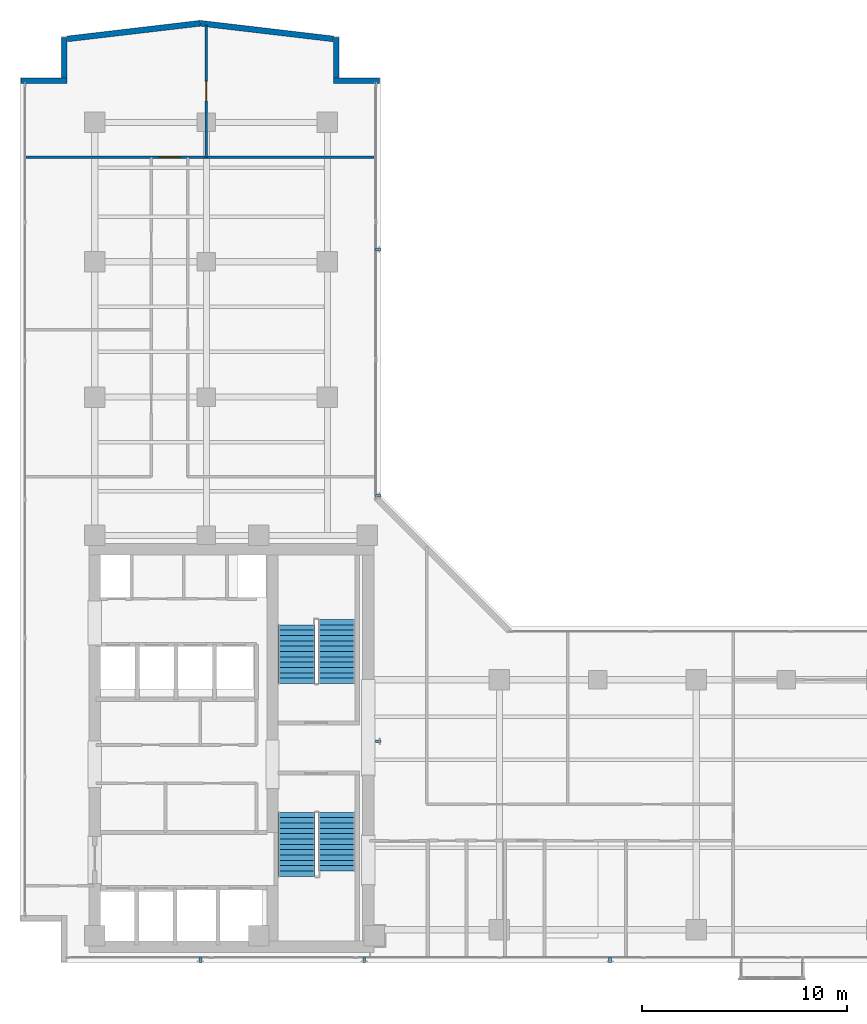
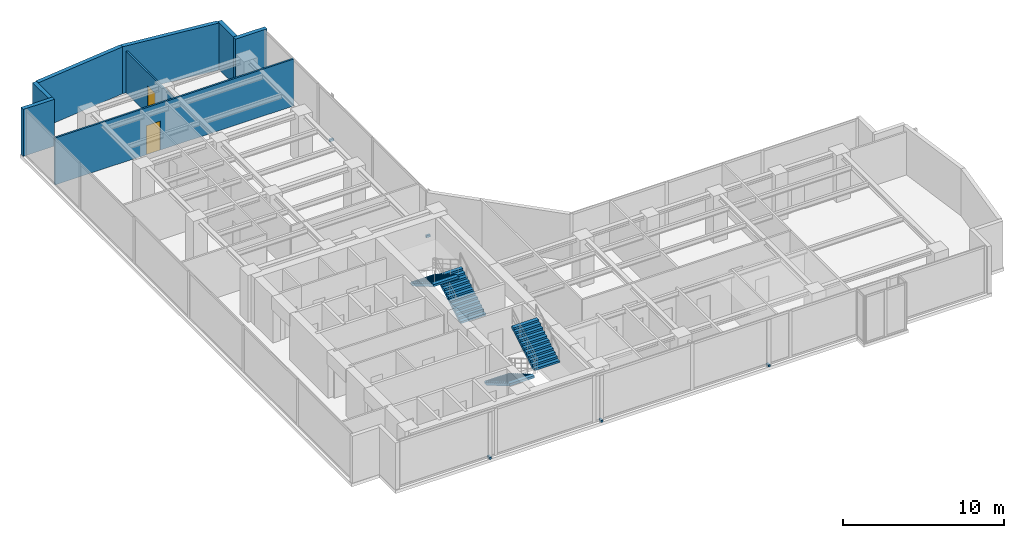
# One storey, part 18 of 23: 8 walls, 6 discrete accessories, 4 stair flights, 2 doors, 2 openings, 2 elements without a shape of their own.
"""IFC4 building model written with IfcOpenShell, lengths in metres."""

from ifc_helpers import new_model, si_unit, direction, frame, frame_2d, origin, origin_with_axes, origin_2d, place, context, subcontext, project, spatial, polyline, rectangle, outline, extrude, source, transform, mapped, material, layer, layer_set, type_object, element, fill, aggregate, save


model = new_model("IFC4")

# Units and contexts
model_context = context("Model", 3, precision=1e-05, world=origin(), true_north=direction((0.0, 1.0)))
body_context = subcontext(model_context, "Body", "Model", "MODEL_VIEW")
ifc_project = project(units=[si_unit("LENGTHUNIT", "METRE"), si_unit("AREAUNIT", "SQUARE_METRE"), si_unit("VOLUMEUNIT", "CUBIC_METRE"), si_unit("PLANEANGLEUNIT", "RADIAN"), si_unit("MASSUNIT", "GRAM", prefix="KILO")], contexts=[model_context])

# Site, building, storey
site_placement = place(None, origin())
site = spatial("IfcSite", under=ifc_project, at=site_placement, CompositionType="ELEMENT")
building_placement = place(site_placement, origin())
building = spatial("IfcBuilding", under=site, at=building_placement, Name="Kolvaren Waterfront Exchange", CompositionType="ELEMENT")
storey_placement = place(building_placement, frame((0.0, 0.0, 242.5)))
storey = spatial("IfcBuildingStorey", under=building, at=storey_placement, Name="L62", CompositionType="ELEMENT", Elevation=242.5)

# Walls
ifc_material_1 = material(Name="Precast concrete C40/50", Category="concrete")
ifc_layer_1 = layer(ifc_material_1, 0.280029296875, Name="Precast concrete C40/50")
ifc_layer_set_1 = layer_set([ifc_layer_1], Name="Precast concrete C40/50")
wall_type_1 = type_object("IfcWallType", Name="ARC-EXT-TERR-280", PredefinedType="SOLIDWALL", material=ifc_layer_set_1)
wall_1_placement = place(storey_placement, frame((19.10009765625, 46.639892578125, 0.0), z_axis=(0.0, 0.0, 1.0), x_axis=(1.0, 0.0, 0.0)))
element("IfcWall", 1, at=wall_1_placement, inside=storey, type_object=wall_type_1, Name="L62 notched corner spandrel pier NNE-A", PredefinedType="SOLIDWALL", context=body_context, shape_type="SweptSolid", body=[
    extrude(rectangle(XDim=2.239990234375, YDim=0.280029296875, at=frame_2d((1.1201171875, 0.0))), origin(), (0.0, 0.0, 1.0), 3.56005859375),
])
wall_2_placement = place(storey_placement, frame((19.239990234375, 46.780029296875, 0.0), z_axis=(0.0, 0.0, 1.0), x_axis=(0.0, 1.0, 0.0)))
element("IfcWall", 2, at=wall_2_placement, inside=storey, type_object=wall_type_1, Name="L62 notched corner spandrel pier NNE-B", PredefinedType="SOLIDWALL", context=body_context, shape_type="SweptSolid", body=[
    extrude(rectangle(XDim=1.9599609375, YDim=0.280029296875, at=frame_2d((0.97998046875, 0.0))), origin(), (0.0, 0.0, 1.0), 3.56005859375),
])
wall_3_placement = place(storey_placement, frame((3.860107421875, 46.639892578125, 0.0), z_axis=(0.0, 0.0, 1.0), x_axis=(1.0, 0.0, 0.0)))
element("IfcWall", 3, at=wall_3_placement, inside=storey, type_object=wall_type_1, Name="L62 notched corner spandrel pier NW-A", PredefinedType="SOLIDWALL", context=body_context, shape_type="SweptSolid", body=[
    extrude(rectangle(XDim=2.239990234375, YDim=0.280029296875, at=frame_2d((1.1201171875, 0.0))), origin(), (0.0, 0.0, 1.0), 3.56005859375),
])
wall_4_placement = place(storey_placement, frame((5.9599609375, 46.780029296875, 0.0), z_axis=(0.0, 0.0, 1.0), x_axis=(0.0, 1.0, 0.0)))
element("IfcWall", 4, at=wall_4_placement, inside=storey, type_object=wall_type_1, Name="L62 notched corner spandrel pier NW-B", PredefinedType="SOLIDWALL", context=body_context, shape_type="SweptSolid", body=[
    extrude(rectangle(XDim=1.9599609375, YDim=0.280029296875, at=frame_2d((0.97998046875, 0.0))), origin(), (0.0, 0.0, 1.0), 3.56005859375),
])
for number, where, z_axis, x_axis, name in (
    (5, (19.08349609375, 48.676025390625, 0.0), (0.0, 0.0, 1.0), (-0.993149072278, 0.11685426921, 0.0), "L62 north prow faceted facade wall 1"),
    (6, (12.598876953125, 49.438720703125, 0.0), (0.0, 0.0, 1.0), (-0.993149072278, -0.11685426921, 0.0), "L62 north prow faceted facade wall 2"),
):
    element("IfcWall", number, at=place(storey_placement, frame(where, z_axis=z_axis, x_axis=x_axis)), inside=storey, type_object=wall_type_1, Name=name, PredefinedType="SOLIDWALL", context=body_context, shape_type="SweptSolid", body=[
        extrude(rectangle(XDim=6.52685546875, YDim=0.280029296875, at=frame_2d((3.263427734375, 0.0))), origin(), (0.0, 0.0, 1.0), 3.56005859375),
    ])

# Wall, opening, door
ifc_material_2 = material(Name="Acoustic gypsum steel stud", Category="steel")
ifc_layer_2 = layer(ifc_material_2, 0.125, Name="Acoustic gypsum steel stud")
ifc_layer_set_2 = layer_set([ifc_layer_2], Name="Acoustic gypsum steel stud")
wall_type_2 = type_object("IfcWallType", Name="ARC-PART-125", PredefinedType="PARTITIONING", material=ifc_layer_set_2)
wall_5_placement = place(storey_placement, frame((4.0400390625, 42.89990234375, 0.0), z_axis=(0.0, 0.0, 1.0), x_axis=(1.0, 0.0, 0.0)))
wall_5 = element("IfcWall", 7, at=wall_5_placement, inside=storey, type_object=wall_type_2, Name="L62 interior wall PW-L62-NTIP-S", PredefinedType="PARTITIONING", context=body_context, shape_type="SweptSolid", body=[
    extrude(rectangle(XDim=17.119873046875, YDim=0.125, at=frame_2d((8.56005859375, 0.0))), origin(), (0.0, 0.0, 1.0), 3.56005859375),
])
opening_1_placement = place(wall_5_placement, frame((6.550048828125, 0.0, 0.0)))
opening_1 = element("IfcOpeningElement", 8, at=opening_1_placement, cuts=wall_5, Name="Opening D03", PredefinedType="OPENING", context=body_context, shape_type="SweptSolid", body=[
    extrude(rectangle(XDim=1.0, YDim=2.199951171875, at=frame_2d((0.5, 1.10009765625))), frame((0.0, 0.072509765625, 0.0), z_axis=(0.0, -1.0, 0.0), x_axis=(1.0, 0.0, 0.0)), (0.0, 0.0, 1.0), 0.14501953125),
])
ifc_material_3 = material(Name="Oak veneer accessible timber", Category="wood")
door_type_1 = type_object("IfcDoorType", Name="ARC-DR-1000", OperationType="NOTDEFINED", PredefinedType="DOOR", material=ifc_material_3)
door_1_placement = place(opening_1_placement, origin())
door_1 = element("IfcDoor", 9, at=door_1_placement, inside=storey, type_object=door_type_1, Name="L62 door DR-L62-NTIPW-D (D03)", OperationType="SINGLE_SWING_RIGHT", OverallHeight=2.199951171875, OverallWidth=1.0, PredefinedType="DOOR", context=body_context, shape_type="SweptSolid", body=[
    extrude(rectangle(XDim=1.0, YDim=2.199951171875, at=frame_2d((0.5, 1.10009765625))), frame((0.0, 0.02490234375, 0.0), z_axis=(0.0, -1.0, 0.0), x_axis=(1.0, 0.0, 0.0)), (0.0, 0.0, 1.0), 0.050048828125),
])
fill(opening_1, door_1)

wall_6_placement = place(storey_placement, frame((12.89990234375, 42.89990234375, 0.0), z_axis=(0.0, 0.0, 1.0), x_axis=(0.0, 1.0, 0.0)))
wall_6 = element("IfcWall", 10, at=wall_6_placement, inside=storey, type_object=wall_type_2, Name="L62 interior wall PW-L62-NTIP-DIV", PredefinedType="PARTITIONING", context=body_context, shape_type="SweptSolid", body=[
    extrude(rectangle(XDim=6.460205078125, YDim=0.125, at=frame_2d((3.22998046875, 0.0))), origin(), (0.0, 0.0, 1.0), 3.159912109375),
])
opening_2_placement = place(wall_6_placement, frame((2.75, 0.0, 0.0)))
opening_2 = element("IfcOpeningElement", 11, at=opening_2_placement, cuts=wall_6, Name="Opening D02", PredefinedType="OPENING", context=body_context, shape_type="SweptSolid", body=[
    extrude(rectangle(XDim=0.949951171875, YDim=2.14990234375, at=frame_2d((0.47509765625, 1.074951171875))), frame((0.0, 0.072509765625, 0.0), z_axis=(0.0, -1.0, 0.0), x_axis=(1.0, 0.0, 0.0)), (0.0, 0.0, 1.0), 0.14501953125),
])
ifc_material_4 = material(Name="Oak veneer acoustic timber", Category="wood")
door_type_2 = type_object("IfcDoorType", Name="ARC-DR-950", OperationType="NOTDEFINED", PredefinedType="DOOR", material=ifc_material_4)
door_2_placement = place(opening_2_placement, origin())
door_2 = element("IfcDoor", 12, at=door_2_placement, inside=storey, type_object=door_type_2, Name="L62 door DR-L62-NTIPE-D (D02)", OperationType="SINGLE_SWING_LEFT", OverallHeight=2.14990234375, OverallWidth=0.949951171875, PredefinedType="DOOR", context=body_context, shape_type="SweptSolid", body=[
    extrude(rectangle(XDim=0.949951171875, YDim=2.14990234375, at=frame_2d((0.47509765625, 1.074951171875))), frame((0.0, 0.02490234375, 0.0), z_axis=(0.0, -1.0, 0.0), x_axis=(1.0, 0.0, 0.0)), (0.0, 0.0, 1.0), 0.050048828125),
])
fill(opening_2, door_2)

# Stair, stair flights
ifc_material_5 = material(Name="Concrete C40/50", Category="concrete")
stair_type = type_object("IfcStairType", Name="ARC-STAIR-3800", PredefinedType="HALF_TURN_STAIR", material=ifc_material_5)
stair_1_placement = place(storey_placement, origin())
stair_1 = element("IfcStair", 13, at=stair_1_placement, inside=storey, type_object=stair_type, Name="L62 Smoke-proof exit stair ST1", PredefinedType="HALF_TURN_STAIR")
stair_flight_type = type_object("IfcStairFlightType", Name="ARC-FLIGHT-3800", PredefinedType="STRAIGHT", material=ifc_material_5)
stair_flight_1_placement = place(storey_placement, frame((17.300048828125, 10.929931640625, 0.0), z_axis=(0.0, 0.0, 1.0), x_axis=(0.0, -1.0, 0.0)))
stair_flight_1 = element("IfcStairFlight", 14, at=stair_flight_1_placement, type_object=stair_flight_type, Name="ST1 flight 1", NumberOfRisers=13, NumberOfTreads=12, PredefinedType="STRAIGHT", RiserHeight=0.152, TreadLength=0.26, context=body_context, shape_type="SweptSolid", body=[
    extrude(outline(polyline([(0.0, 0.0), (0.0, 0.152099609375), (0.260009765625, 0.152099609375), (0.260009765625, 0.303955078125), (0.52001953125, 0.303955078125), (0.52001953125, 0.4560546875), (0.780029296875, 0.4560546875), (0.780029296875, 0.60791015625), (1.0400390625, 0.60791015625), (1.0400390625, 0.760009765625), (1.300048828125, 0.760009765625), (1.300048828125, 0.912109375), (1.56005859375, 0.912109375), (1.56005859375, 1.06396484375), (1.820068359375, 1.06396484375), (1.820068359375, 1.216064453125), (2.080078125, 1.216064453125), (2.080078125, 1.367919921875), (2.340087890625, 1.367919921875), (2.340087890625, 1.52001953125), (2.60009765625, 1.52001953125), (2.60009765625, 1.672119140625), (2.860107421875, 1.672119140625), (2.860107421875, 1.823974609375), (3.1201171875, 1.823974609375), (3.1201171875, 1.97607421875), (3.1201171875, 1.650390625), (0.297119140625, 0.0), (0.0, 0.0)])), frame((0.0, 0.89990234375, 0.0), z_axis=(0.0, -1.0, 0.0), x_axis=(1.0, 0.0, 0.0)), (0.0, 0.0, 1.0), 1.800048828125),
])
stair_flight_2_placement = place(storey_placement, frame((19.260009765625, 8.070068359375, 1.97607421875), z_axis=(0.0, 0.0, 1.0), x_axis=(0.0, 1.0, 0.0)))
stair_flight_2 = element("IfcStairFlight", 15, at=stair_flight_2_placement, type_object=stair_flight_type, Name="ST1 flight 2", NumberOfRisers=12, NumberOfTreads=11, PredefinedType="STRAIGHT", RiserHeight=0.152, TreadLength=0.26, context=body_context, shape_type="SweptSolid", body=[
    extrude(outline(polyline([(0.0, 0.0), (0.0, 0.152099609375), (0.260009765625, 0.152099609375), (0.260009765625, 0.303955078125), (0.52001953125, 0.303955078125), (0.52001953125, 0.4560546875), (0.780029296875, 0.4560546875), (0.780029296875, 0.60791015625), (1.0400390625, 0.60791015625), (1.0400390625, 0.760009765625), (1.300048828125, 0.760009765625), (1.300048828125, 0.912109375), (1.56005859375, 0.912109375), (1.56005859375, 1.06396484375), (1.820068359375, 1.06396484375), (1.820068359375, 1.216064453125), (2.080078125, 1.216064453125), (2.080078125, 1.367919921875), (2.340087890625, 1.367919921875), (2.340087890625, 1.52001953125), (2.60009765625, 1.52001953125), (2.60009765625, 1.672119140625), (2.860107421875, 1.672119140625), (2.860107421875, 1.823974609375), (2.860107421875, 1.498291015625), (0.297119140625, 0.0), (0.0, 0.0)])), frame((0.0, 0.89990234375, 0.0), z_axis=(0.0, -1.0, 0.0), x_axis=(1.0, 0.0, 0.0)), (0.0, 0.0, 1.0), 1.800048828125),
])
aggregate(stair_1, [stair_flight_1, stair_flight_2])

stair_2_placement = place(storey_placement, origin())
stair_2 = element("IfcStair", 16, at=stair_2_placement, inside=storey, type_object=stair_type, Name="L62 Smoke-proof exit stair ST2", PredefinedType="HALF_TURN_STAIR")
stair_flight_3_placement = place(storey_placement, frame((19.260009765625, 17.219970703125, 0.0), z_axis=(0.0, 0.0, 1.0), x_axis=(0.0, 1.0, 0.0)))
stair_flight_3 = element("IfcStairFlight", 17, at=stair_flight_3_placement, type_object=stair_flight_type, Name="ST2 flight 1", NumberOfRisers=13, NumberOfTreads=12, PredefinedType="STRAIGHT", RiserHeight=0.152, TreadLength=0.26, context=body_context, shape_type="SweptSolid", body=[
    extrude(outline(polyline([(0.0, 0.0), (0.0, 0.152099609375), (0.260009765625, 0.152099609375), (0.260009765625, 0.303955078125), (0.52001953125, 0.303955078125), (0.52001953125, 0.4560546875), (0.780029296875, 0.4560546875), (0.780029296875, 0.60791015625), (1.0400390625, 0.60791015625), (1.0400390625, 0.760009765625), (1.300048828125, 0.760009765625), (1.300048828125, 0.912109375), (1.56005859375, 0.912109375), (1.56005859375, 1.06396484375), (1.820068359375, 1.06396484375), (1.820068359375, 1.216064453125), (2.080078125, 1.216064453125), (2.080078125, 1.367919921875), (2.340087890625, 1.367919921875), (2.340087890625, 1.52001953125), (2.60009765625, 1.52001953125), (2.60009765625, 1.672119140625), (2.860107421875, 1.672119140625), (2.860107421875, 1.823974609375), (3.1201171875, 1.823974609375), (3.1201171875, 1.97607421875), (3.1201171875, 1.650390625), (0.297119140625, 0.0), (0.0, 0.0)])), frame((0.0, 0.89990234375, 0.0), z_axis=(0.0, -1.0, 0.0), x_axis=(1.0, 0.0, 0.0)), (0.0, 0.0, 1.0), 1.800048828125),
])
stair_flight_4_placement = place(storey_placement, frame((17.300048828125, 20.080078125, 1.97607421875), z_axis=(0.0, 0.0, 1.0), x_axis=(0.0, -1.0, 0.0)))
stair_flight_4 = element("IfcStairFlight", 18, at=stair_flight_4_placement, type_object=stair_flight_type, Name="ST2 flight 2", NumberOfRisers=12, NumberOfTreads=11, PredefinedType="STRAIGHT", RiserHeight=0.152, TreadLength=0.26, context=body_context, shape_type="SweptSolid", body=[
    extrude(outline(polyline([(0.0, 0.0), (0.0, 0.152099609375), (0.260009765625, 0.152099609375), (0.260009765625, 0.303955078125), (0.52001953125, 0.303955078125), (0.52001953125, 0.4560546875), (0.780029296875, 0.4560546875), (0.780029296875, 0.60791015625), (1.0400390625, 0.60791015625), (1.0400390625, 0.760009765625), (1.300048828125, 0.760009765625), (1.300048828125, 0.912109375), (1.56005859375, 0.912109375), (1.56005859375, 1.06396484375), (1.820068359375, 1.06396484375), (1.820068359375, 1.216064453125), (2.080078125, 1.216064453125), (2.080078125, 1.367919921875), (2.340087890625, 1.367919921875), (2.340087890625, 1.52001953125), (2.60009765625, 1.52001953125), (2.60009765625, 1.672119140625), (2.860107421875, 1.672119140625), (2.860107421875, 1.823974609375), (2.860107421875, 1.498291015625), (0.297119140625, 0.0), (0.0, 0.0)])), frame((0.0, 0.89990234375, 0.0), z_axis=(0.0, -1.0, 0.0), x_axis=(1.0, 0.0, 0.0)), (0.0, 0.0, 1.0), 1.800048828125),
])
aggregate(stair_2, [stair_flight_3, stair_flight_4])

# Discrete accessories
ifc_material_6 = material(Name="Stainless steel 316", Category="steel")
discrete_accessory_type = type_object("IfcDiscreteAccessoryType", Name="ARC-BRK-FIN", PredefinedType="BRACKET", material=ifc_material_6)
shared_shape = source(origin_with_axes(), body_context, "Body", "SweptSolid", [
    extrude(rectangle(XDim=0.280029296875, YDim=0.139892578125, at=origin_2d()), origin(), (0.0, 0.0, 1.0), 0.159912109375),
])
for number, where, z_axis, x_axis, name in (
    (19, (12.60009765625, 3.719970703125, 0.0), (0.0, 0.0, 1.0), (0.0, -1.0, 0.0), "L62 bronze fin anchor bracket FIN-L62-S1"),
    (20, (20.60009765625, 3.719970703125, 0.0), (0.0, 0.0, 1.0), (0.0, -1.0, 0.0), "L62 bronze fin anchor bracket FIN-L62-S2"),
    (21, (32.60009765625, 3.719970703125, 0.0), (0.0, 0.0, 1.0), (0.0, -1.0, 0.0), "L62 bronze fin anchor bracket FIN-L62-S3"),
    (22, (21.280029296875, 14.39990234375, 0.0), (0.0, 0.0, 1.0), (1.0, 0.0, 0.0), "L62 bronze fin anchor bracket FIN-L62-E1"),
    (23, (21.280029296875, 26.39990234375, 0.0), (0.0, 0.0, 1.0), (1.0, 0.0, 0.0), "L62 bronze fin anchor bracket FIN-L62-E2"),
    (24, (21.280029296875, 38.39990234375, 0.0), (0.0, 0.0, 1.0), (1.0, 0.0, 0.0), "L62 bronze fin anchor bracket FIN-L62-E3"),
):
    element("IfcDiscreteAccessory", number, at=place(storey_placement, frame(where, z_axis=z_axis, x_axis=x_axis)), inside=storey, type_object=discrete_accessory_type, Name=name, PredefinedType="BRACKET", context=body_context, shape_type="MappedRepresentation", body=[
        mapped(shared_shape, transform((0.0, 0.0, 0.0), x_axis=(1.0, 0.0, 0.0), y_axis=(0.0, 1.0, 0.0), z_axis=(0.0, 0.0, 1.0), scale=1.0)),
    ])

save(model, "model.ifc")
